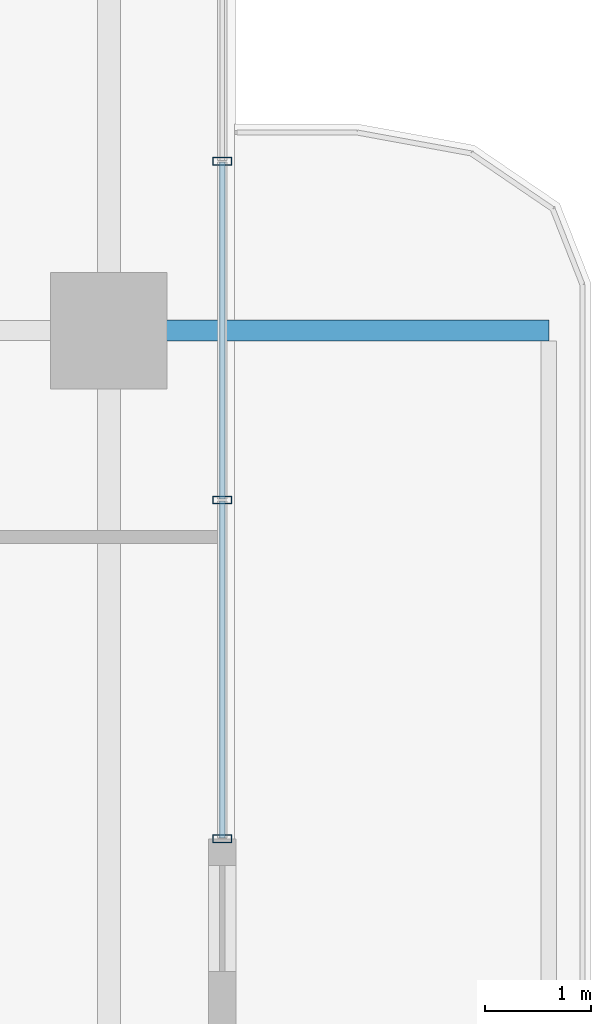
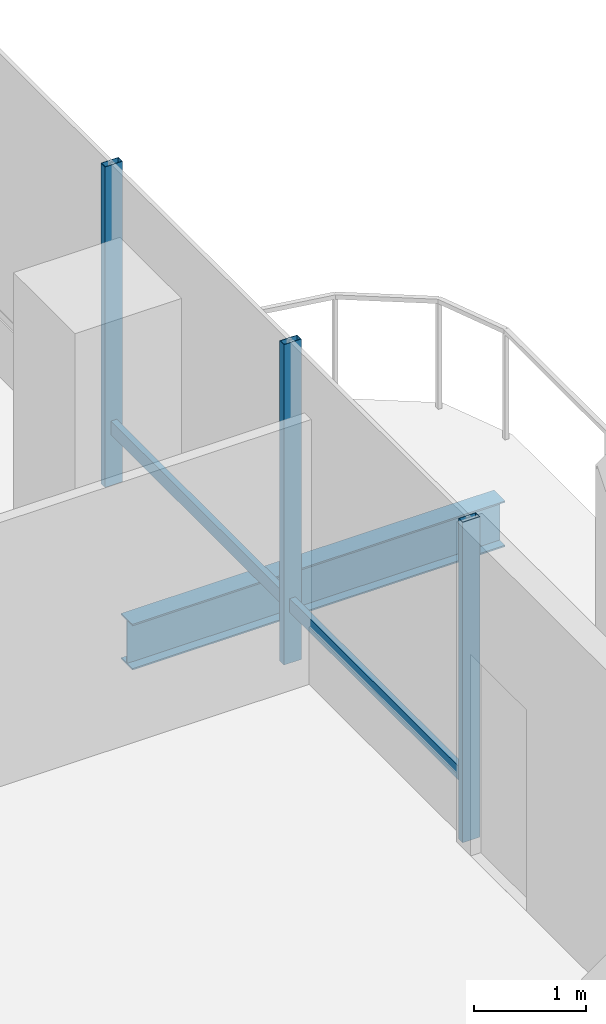
# One storey, part 8 of 24: 5 members, 1 beam, 1 element without a shape of its own.
"""IFC4 building model written with IfcOpenShell, lengths in metres."""

from ifc_helpers import new_model, si_unit, direction, frame, origin, origin_2d, place, context, subcontext, project, spatial, hollow_rectangle, i_section, extrude, material, layer, layer_set, material_profile, profile_set, type_object, element, aggregate, save


model = new_model("IFC4")

# Units and contexts
model_context = context("Model", 3, precision=1e-05, world=origin(), true_north=direction((0.0, 1.0)))
body_context = subcontext(model_context, "Body", "Model", "MODEL_VIEW")
ifc_project = project(units=[si_unit("LENGTHUNIT", "METRE"), si_unit("AREAUNIT", "SQUARE_METRE"), si_unit("VOLUMEUNIT", "CUBIC_METRE"), si_unit("PLANEANGLEUNIT", "RADIAN"), si_unit("MASSUNIT", "GRAM", prefix="KILO")], contexts=[model_context])

# Site, building, storey
site_placement = place(None, origin())
site = spatial("IfcSite", under=ifc_project, at=site_placement, CompositionType="ELEMENT")
building_placement = place(site_placement, origin())
building = spatial("IfcBuilding", under=site, at=building_placement, Name="Belovzor Exchange Tower", CompositionType="ELEMENT")
storey_placement = place(building_placement, frame((0.0, 0.0, 218.699951171875)))
storey = spatial("IfcBuildingStorey", under=building, at=storey_placement, Name="L54", CompositionType="ELEMENT", Elevation=218.699951171875)

# Beam
ifc_material_1 = material(Name="Steel S355", Category="steel")
ifc_material_profile_1 = material_profile(ifc_material_1, i_section(OverallWidth=0.199951171875, OverallDepth=0.5, WebThickness=0.01025390625, FlangeThickness=0.01611328125, at=origin_2d()))
ifc_profile_set_1 = profile_set([ifc_material_profile_1], Name="Steel S355")
beam_type = type_object("IfcBeamType", Name="Planted Balcony Cantilever Beam IPE 500", PredefinedType="BEAM", material=ifc_profile_set_1)
beam_placement = place(storey_placement, frame((54.903076171875, 28.800048828125, -0.5), z_axis=(1.0, 0.0, 0.0), x_axis=(0.0, 1.0, 0.0)))
element("IfcBeam", 1, at=beam_placement, inside=storey, type_object=beam_type, Name="BC-500 Planted Balcony Cantilever Beam IPE 500", PredefinedType="BEAM", context=body_context, shape_type="SweptSolid", body=[
    extrude(i_section(OverallWidth=0.199951171875, OverallDepth=0.5, WebThickness=0.01025390625, FlangeThickness=0.01611328125, at=origin_2d()), origin(), (0.0, 0.0, 1.0), 3.849853515625),
])

# Curtain wall, members
ifc_material_2 = material(Name="Anodised Aluminium Framing", Category="aluminium")
ifc_layer = layer(ifc_material_2, 0.179931640625)
ifc_layer_set = layer_set([ifc_layer], Name="Anodised Aluminium Framing")
curtain_wall_type = type_object("IfcCurtainWallType", Name="Recessed Loggia Low-Iron Triple-Glazed Curtain Wall", PredefinedType="NOTDEFINED", material=ifc_layer_set)
curtain_wall_placement = place(storey_placement, origin())
curtain_wall = element("IfcCurtainWall", 2, at=curtain_wall_placement, inside=storey, type_object=curtain_wall_type, Name="CW3 Recessed Loggia Low-Iron Triple-Glazed Curtain Wall L54", PredefinedType="NOTDEFINED")
ifc_material_3 = material(Name="Steel S355", Category="steel")
ifc_material_profile_2 = material_profile(ifc_material_3, hollow_rectangle(XDim=0.074951171875, YDim=0.179931640625, WallThickness=0.0048828125, at=origin_2d()))
ifc_profile_set_2 = profile_set([ifc_material_profile_2], Name="Steel S355")
member_type_1 = type_object("IfcMemberType", Name="Thermally Broken Curtain Wall Mullion 180x75", PredefinedType="MULLION", material=ifc_profile_set_2)
member_1_placement = place(storey_placement, frame((55.669921875, 30.39990234375, 0.0), z_axis=(0.0, 0.0, 1.0), x_axis=(0.0, -1.0, 0.0)))
member_1 = element("IfcMember", 3, at=member_1_placement, type_object=member_type_1, Name="CW-M180 Curtain Wall Mullion 2", PredefinedType="MULLION", context=body_context, shape_type="SweptSolid", body=[
    extrude(hollow_rectangle(XDim=0.074951171875, YDim=0.179931640625, WallThickness=0.0048828125, at=origin_2d()), origin(), (0.0, 0.0, 1.0), 3.5),
])
member_2_placement = place(storey_placement, frame((55.669921875, 27.199951171875, 0.0), z_axis=(0.0, 0.0, 1.0), x_axis=(0.0, -1.0, 0.0)))
member_2 = element("IfcMember", 4, at=member_2_placement, type_object=member_type_1, Name="CW-M180 Curtain Wall Mullion 3", PredefinedType="MULLION", context=body_context, shape_type="SweptSolid", body=[
    extrude(hollow_rectangle(XDim=0.074951171875, YDim=0.179931640625, WallThickness=0.0048828125, at=origin_2d()), origin(), (0.0, 0.0, 1.0), 3.5),
])
member_3_placement = place(storey_placement, frame((55.669921875, 24.0, 0.0), z_axis=(0.0, 0.0, 1.0), x_axis=(0.0, -1.0, 0.0)))
member_3 = element("IfcMember", 5, at=member_3_placement, type_object=member_type_1, Name="CW-M180 Curtain Wall Mullion 4", PredefinedType="MULLION", context=body_context, shape_type="SweptSolid", body=[
    extrude(hollow_rectangle(XDim=0.074951171875, YDim=0.179931640625, WallThickness=0.0048828125, at=origin_2d()), origin(), (0.0, 0.0, 1.0), 3.5),
])
ifc_material_4 = material(Name="Steel S355", Category="steel")
ifc_material_profile_3 = material_profile(ifc_material_4, hollow_rectangle(XDim=0.06005859375, YDim=0.14990234375, WallThickness=0.00390625, at=origin_2d()))
ifc_profile_set_3 = profile_set([ifc_material_profile_3], Name="Steel S355")
member_type_2 = type_object("IfcMemberType", Name="Thermally Broken Curtain Wall Transom 150x60", PredefinedType="USERDEFINED", material=ifc_profile_set_3)
member_4_placement = place(storey_placement, frame((55.669921875, 30.39208984375, 0.630126953125), z_axis=(0.0, -1.0, 0.0), x_axis=(1.0, 0.0, 0.0)))
member_4 = element("IfcMember", 6, at=member_4_placement, type_object=member_type_2, Name="CW-T150 Curtain Wall Transom 2", ObjectType="TRANSOM", PredefinedType="USERDEFINED", context=body_context, shape_type="SweptSolid", body=[
    extrude(hollow_rectangle(XDim=0.06005859375, YDim=0.14990234375, WallThickness=0.00390625, at=origin_2d()), origin(), (0.0, 0.0, 1.0), 3.18408203125),
])
member_5_placement = place(storey_placement, frame((55.669921875, 27.19189453125, 0.630126953125), z_axis=(0.0, -1.0, 0.0), x_axis=(1.0, 0.0, 0.0)))
member_5 = element("IfcMember", 7, at=member_5_placement, type_object=member_type_2, Name="CW-T150 Curtain Wall Transom 3", ObjectType="TRANSOM", PredefinedType="USERDEFINED", context=body_context, shape_type="SweptSolid", body=[
    extrude(hollow_rectangle(XDim=0.06005859375, YDim=0.14990234375, WallThickness=0.00390625, at=origin_2d()), origin(), (0.0, 0.0, 1.0), 3.183837890625),
])
aggregate(curtain_wall, [member_1, member_2, member_3, member_4, member_5])

save(model, "model.ifc")
